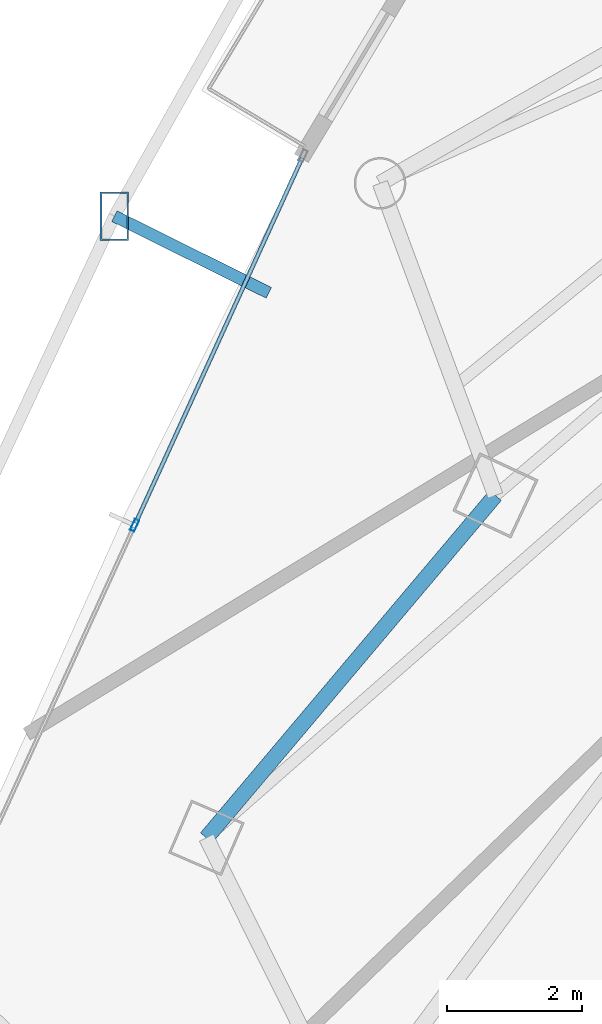
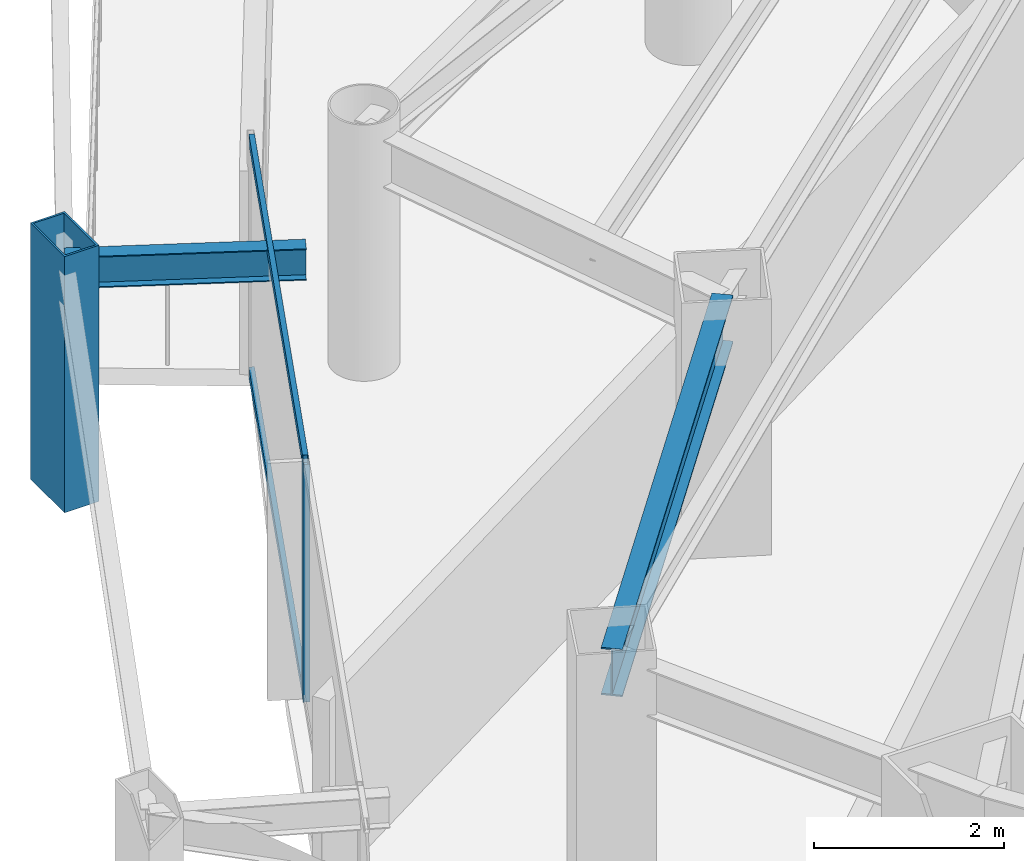
# One storey, part 8 of 33: 4 members, 2 beams, 1 element without a shape of its own.
"""IFC4 building model written with IfcOpenShell, lengths in metres."""

from ifc_helpers import new_model, si_unit, direction, frame, origin, origin_2d, place, context, subcontext, project, spatial, hollow_rectangle, i_section, extrude, material, layer, layer_set, material_profile, profile_set, type_object, element, aggregate, save


model = new_model("IFC4")

# Units and contexts
model_context = context("Model", 3, precision=1e-05, world=origin(), true_north=direction((0.0, 1.0)))
body_context = subcontext(model_context, "Body", "Model", "MODEL_VIEW")
ifc_project = project(units=[si_unit("LENGTHUNIT", "METRE"), si_unit("AREAUNIT", "SQUARE_METRE"), si_unit("VOLUMEUNIT", "CUBIC_METRE"), si_unit("PLANEANGLEUNIT", "RADIAN"), si_unit("MASSUNIT", "GRAM", prefix="KILO")], contexts=[model_context])

# Site, building, storey
site_placement = place(None, origin())
site = spatial("IfcSite", under=ifc_project, at=site_placement, CompositionType="ELEMENT")
building_placement = place(site_placement, origin())
building = spatial("IfcBuilding", under=site, at=building_placement, Name="Orvanel Arch Residences", CompositionType="ELEMENT")
storey_placement = place(building_placement, frame((0.0, 0.0, 90.64990234375)))
storey = spatial("IfcBuildingStorey", under=building, at=storey_placement, Name="L25", CompositionType="ELEMENT", Elevation=90.64990234375)

# Member
ifc_material_1 = material(Name="Structural steel AS/NZS 3678 Grade 350", Category="steel")
ifc_material_profile_1 = material_profile(ifc_material_1, hollow_rectangle(XDim=0.419921875, YDim=0.719970703125, WallThickness=0.02490234375, at=origin_2d()), Name="RHS720x420x25")
ifc_profile_set_1 = profile_set([ifc_material_profile_1], Name="Structural steel AS/NZS 3678 Grade 350")
member_type_1 = type_object("IfcMemberType", Name="CH-720RHS-EXT", PredefinedType="CHORD", material=ifc_profile_set_1)
member_1_placement = place(storey_placement, frame((10.735107421875, 23.77099609375, 0.0), z_axis=(0.0, 0.0, 1.0), x_axis=(1.0, 0.0, 0.0)))
element("IfcMember", 1, at=member_1_placement, inside=storey, type_object=member_type_1, Name="L25 Outer Perimeter Frame Post 03", PredefinedType="CHORD", context=body_context, shape_type="SweptSolid", body=[
    extrude(hollow_rectangle(XDim=0.419921875, YDim=0.719970703125, WallThickness=0.02490234375, at=origin_2d()), origin(), (0.0, 0.0, 1.0), 3.300048828125),
])

# Curtain wall, member
ifc_material_2 = material(Name="Bronze-anodised aluminium AA6063-T6", Category="aluminium")
ifc_layer = layer(ifc_material_2, 0.179931640625)
ifc_layer_set = layer_set([ifc_layer], Name="Bronze-anodised aluminium AA6063-T6")
curtain_wall_type = type_object("IfcCurtainWallType", Name="CW2-LOW-SYS", PredefinedType="NOTDEFINED", material=ifc_layer_set)
curtain_wall_placement = place(storey_placement, origin())
curtain_wall = element("IfcCurtainWall", 2, at=curtain_wall_placement, inside=storey, type_object=curtain_wall_type, Name="L25 CW2-LOW-SYS Unitised Curtain Wall", PredefinedType="NOTDEFINED")
ifc_material_profile_2 = material_profile(ifc_material_2, hollow_rectangle(XDim=0.070068359375, YDim=0.179931640625, WallThickness=0.00439453125, at=origin_2d()), Name="ALU180x70x4.5")
ifc_profile_set_2 = profile_set([ifc_material_profile_2], Name="Bronze-anodised aluminium AA6063-T6")
member_type_2 = type_object("IfcMemberType", Name="MUL-180x70", PredefinedType="MULLION", material=ifc_profile_set_2)
member_2_placement = place(storey_placement, frame((11.033447265625, 19.20068359375, 0.0), z_axis=(0.0, 0.0, 1.0), x_axis=(0.909823071027, -0.414996360739, 0.0)))
member_2 = element("IfcMember", 3, at=member_2_placement, type_object=member_type_2, Name="CW-S2 mullion 2", PredefinedType="MULLION", context=body_context, shape_type="SweptSolid", body=[
    extrude(hollow_rectangle(XDim=0.070068359375, YDim=0.179931640625, WallThickness=0.00439453125, at=origin_2d()), origin(), (0.0, 0.0, 1.0), 3.06005859375),
])

# Beams
ifc_material_3 = material(Name="Structural steel AS/NZS 3679.1 Grade 300 (300 MPa)", Category="steel")
ifc_material_profile_3 = material_profile(ifc_material_3, i_section(OverallWidth=0.177978515625, OverallDepth=0.406005859375, WebThickness=0.0078125, FlangeThickness=0.0126953125, at=origin_2d()), Name="410UB59.7")
ifc_profile_set_3 = profile_set([ifc_material_profile_3], Name="Structural steel AS/NZS 3679.1 Grade 300 (300 MPa)")
beam_type_1 = type_object("IfcBeamType", Name="OB-410UB-EXT", PredefinedType="SPANDREL", material=ifc_profile_set_3)
beam_1_placement = place(storey_placement, frame((13.01904296875, 22.636962890625, 2.857177734375), z_axis=(-0.895668375719, 0.44472256603, 0.0), x_axis=(-0.44472256603, -0.895668375719, 0.0)))
element("IfcBeam", 4, at=beam_1_placement, inside=storey, type_object=beam_type_1, Name="L25 Outer Frame Radial Tie Beam 03", PredefinedType="SPANDREL", context=body_context, shape_type="SweptSolid", body=[
    extrude(i_section(OverallWidth=0.177978515625, OverallDepth=0.406005859375, WebThickness=0.0078125, FlangeThickness=0.0126953125, at=origin_2d()), origin(), (0.0, 0.0, 1.0), 2.550048828125),
])
ifc_material_profile_4 = material_profile(ifc_material_3, i_section(OverallWidth=0.22900390625, OverallDepth=0.612060546875, WebThickness=0.011962890625, FlangeThickness=0.01953125, at=origin_2d()), Name="610UB125")
ifc_profile_set_4 = profile_set([ifc_material_profile_4], Name="Structural steel AS/NZS 3679.1 Grade 300 (300 MPa)")
beam_type_2 = type_object("IfcBeamType", Name="SP-610UB", PredefinedType="SPANDREL", material=ifc_profile_set_4)
beam_2_placement = place(storey_placement, frame((16.366943359375, 19.64208984375, 2.754150390625), z_axis=(-0.644950329775, -0.764224490659, 0.0), x_axis=(0.764224490659, -0.644950329775, 0.0)))
element("IfcBeam", 5, at=beam_2_placement, inside=storey, type_object=beam_type_2, Name="L25 Perimeter Spandrel Beam 01", PredefinedType="SPANDREL", context=body_context, shape_type="SweptSolid", body=[
    extrude(i_section(OverallWidth=0.22900390625, OverallDepth=0.612060546875, WebThickness=0.011962890625, FlangeThickness=0.01953125, at=origin_2d()), origin(), (0.0, 0.0, 1.0), 6.623779296875),
])

# Member
ifc_material_profile_5 = material_profile(ifc_material_2, hollow_rectangle(XDim=0.06005859375, YDim=0.135009765625, WallThickness=0.00390625, at=origin_2d()), Name="ALU135x60x4")
ifc_profile_set_5 = profile_set([ifc_material_profile_5], Name="Bronze-anodised aluminium AA6063-T6")
member_type_3 = type_object("IfcMemberType", Name="TRN-135x60", PredefinedType="USERDEFINED", material=ifc_profile_set_5)
member_3_placement = place(storey_placement, frame((13.510009765625, 24.63037109375, 0.030029296875), z_axis=(-0.414996216051, -0.909823137024, 0.0), x_axis=(0.909823137024, -0.414996216051, 0.0)))
member_3 = element("IfcMember", 6, at=member_3_placement, type_object=member_type_3, Name="CW-S2 transom 1.1", ObjectType="TRANSOM", PredefinedType="USERDEFINED", context=body_context, shape_type="SweptSolid", body=[
    extrude(hollow_rectangle(XDim=0.06005859375, YDim=0.135009765625, WallThickness=0.00390625, at=origin_2d()), origin(), (0.0, 0.0, 1.0), 5.932861328125),
])

member_4_placement = place(storey_placement, frame((13.510009765625, 24.63037109375, 3.030029296875), z_axis=(-0.414996216051, -0.909823137024, 0.0), x_axis=(0.909823137024, -0.414996216051, 0.0)))
member_4 = element("IfcMember", 7, at=member_4_placement, type_object=member_type_3, Name="CW-S2 transom 1.2", ObjectType="TRANSOM", PredefinedType="USERDEFINED", context=body_context, shape_type="SweptSolid", body=[
    extrude(hollow_rectangle(XDim=0.06005859375, YDim=0.135009765625, WallThickness=0.00390625, at=origin_2d()), origin(), (0.0, 0.0, 1.0), 5.932861328125),
])

aggregate(curtain_wall, [member_2, member_3, member_4])

save(model, "model.ifc")
